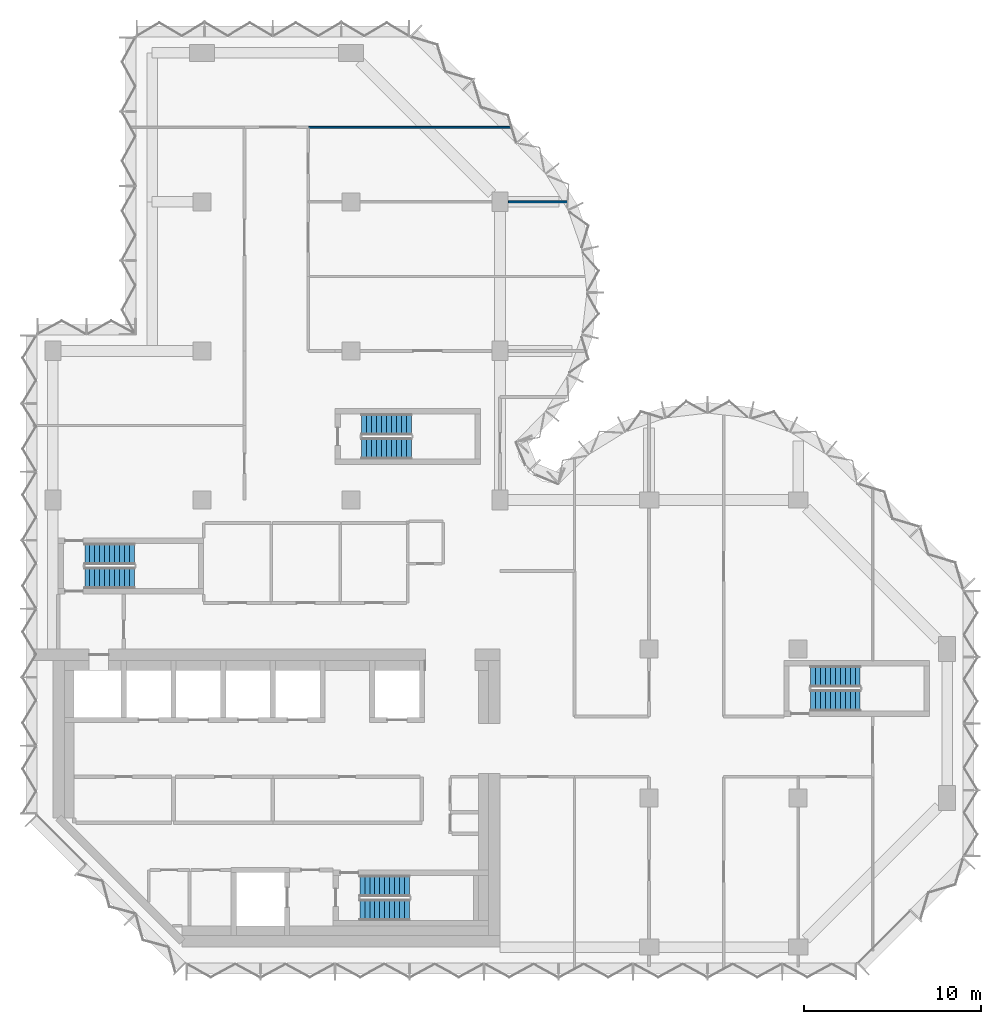
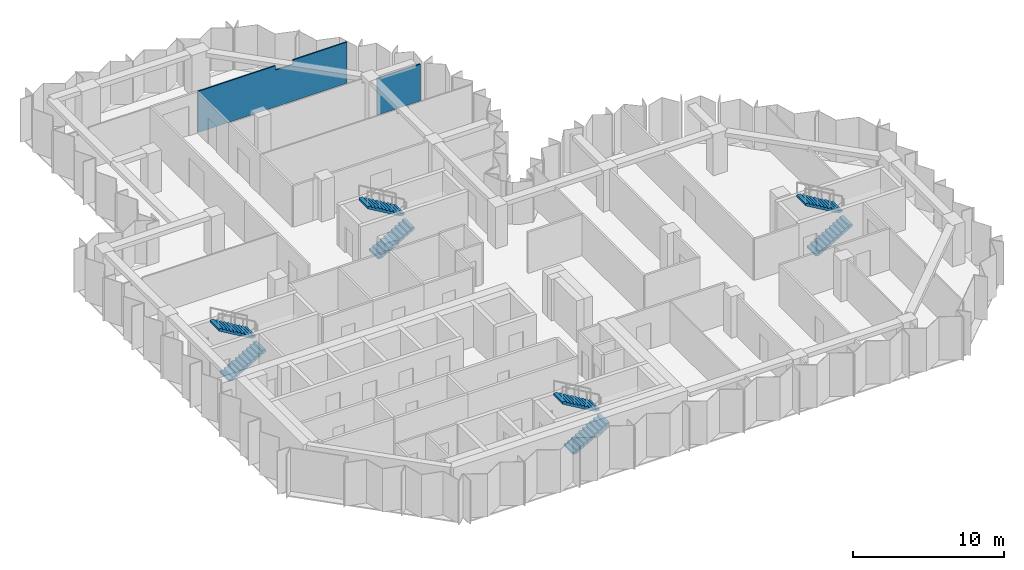
# One storey, part 8 of 10: 8 stair flights, 2 walls, 4 elements without a shape of their own.
"""IFC4 building model written with IfcOpenShell, lengths in metres."""

from ifc_helpers import new_model, si_unit, direction, frame, frame_2d, origin, place, context, subcontext, project, spatial, polyline, rectangle, outline, extrude, material, layer, layer_set, type_object, element, aggregate, save


model = new_model("IFC4")

# Units and contexts
model_context = context("Model", 3, precision=1e-05, world=origin(), true_north=direction((0.0, 1.0)))
body_context = subcontext(model_context, "Body", "Model", "MODEL_VIEW")
ifc_project = project(units=[si_unit("LENGTHUNIT", "METRE"), si_unit("AREAUNIT", "SQUARE_METRE"), si_unit("VOLUMEUNIT", "CUBIC_METRE"), si_unit("PLANEANGLEUNIT", "RADIAN"), si_unit("MASSUNIT", "GRAM", prefix="KILO")], contexts=[model_context])

# Site, building, storey
site_placement = place(None, origin())
site = spatial("IfcSite", under=ifc_project, at=site_placement, CompositionType="ELEMENT")
building_placement = place(site_placement, origin())
building = spatial("IfcBuilding", under=site, at=building_placement, Name="Brevane Broadcast Tower", CompositionType="ELEMENT")
storey_placement = place(building_placement, frame((0.0, 0.0, 195.60009765625)))
storey = spatial("IfcBuildingStorey", under=building, at=storey_placement, Name="L49", CompositionType="ELEMENT", Elevation=195.60009765625)

# Walls
ifc_material_1 = material(Name="Gypsum board partition")
ifc_layer = layer(ifc_material_1, 0.10009765625)
ifc_layer_set = layer_set([ifc_layer], Name="PARTITION 100 STUD")
wall_type = type_object("IfcWallType", Name="PARTITION 100 STUD", PredefinedType="PARTITIONING", material=ifc_layer_set)
wall_1_placement = place(storey_placement, frame((25.805419921875, 46.199951171875, 0.0), z_axis=(0.0, 0.0, 1.0), x_axis=(-1.0, 0.0, 0.0)))
element("IfcWall", 1, at=wall_1_placement, inside=storey, type_object=wall_type, Name="Partition G15-039", PredefinedType="PARTITIONING", context=body_context, shape_type="SweptSolid", body=[
    extrude(outline(polyline([(0.0, 0.0), (11.405517578125, 0.0), (11.405517578125, 3.329833984375), (5.47119140625, 3.329833984375), (5.468994140625, 2.97998046875), (4.1416015625, 2.97998046875), (4.1396484375, 3.329833984375), (0.405517578125, 3.329833984375), (0.0, 3.329833984375), (0.0, 0.0)])), frame((0.0, 0.050048828125, 0.0), z_axis=(0.0, -1.0, 0.0), x_axis=(1.0, 0.0, 0.0)), (0.0, 0.0, 1.0), 0.10009765625),
])
wall_2_placement = place(storey_placement, frame((25.669921875, 42.0, 0.0), z_axis=(0.0, 0.0, 1.0), x_axis=(1.0, 0.0, 0.0)))
element("IfcWall", 2, at=wall_2_placement, inside=storey, type_object=wall_type, Name="Partition G15-044", PredefinedType="PARTITIONING", context=body_context, shape_type="SweptSolid", body=[
    extrude(rectangle(XDim=3.341552734375, YDim=0.10009765625, at=frame_2d((1.6708984375, 0.0))), origin(), (0.0, 0.0, 1.0), 2.97998046875),
])

# Stair, stair flights
ifc_material_2 = material(Name="Concrete C50/60", Category="concrete")
stair_type = type_object("IfcStairType", Name="Exit stair 22 risers", PredefinedType="HALF_TURN_STAIR", material=ifc_material_2)
stair_1_placement = place(storey_placement, origin())
stair_1 = element("IfcStair", 3, at=stair_1_placement, inside=storey, type_object=stair_type, Name="L49 Exit stair ST-1", PredefinedType="HALF_TURN_STAIR")
stair_flight_type = type_object("IfcStairFlightType", Name="Exit stair flight 22 risers", PredefinedType="STRAIGHT", material=ifc_material_2)
stair_flight_1_placement = place(storey_placement, frame((1.800048828125, 20.800048828125, 0.0), z_axis=(0.0, 0.0, 1.0), x_axis=(1.0, 0.0, 0.0)))
stair_flight_1 = element("IfcStairFlight", 4, at=stair_flight_1_placement, type_object=stair_flight_type, Name="ST-1 flight 1", NumberOfRisers=11, NumberOfTreads=10, PredefinedType="STRAIGHT", RiserHeight=0.163636364, TreadLength=0.28, context=body_context, shape_type="SweptSolid", body=[
    extrude(outline(polyline([(0.0, 0.0), (0.0, 0.16357421875), (0.280029296875, 0.16357421875), (0.280029296875, 0.327392578125), (0.56005859375, 0.327392578125), (0.56005859375, 0.490966796875), (0.840087890625, 0.490966796875), (0.840087890625, 0.654541015625), (1.1201171875, 0.654541015625), (1.1201171875, 0.818115234375), (1.39990234375, 0.818115234375), (1.39990234375, 0.98193359375), (1.679931640625, 0.98193359375), (1.679931640625, 1.1455078125), (1.9599609375, 1.1455078125), (1.9599609375, 1.30908203125), (2.239990234375, 1.30908203125), (2.239990234375, 1.47265625), (2.52001953125, 1.47265625), (2.52001953125, 1.636474609375), (2.800048828125, 1.636474609375), (2.800048828125, 1.800048828125), (2.800048828125, 1.462646484375), (0.297119140625, 0.0), (0.0, 0.0)])), frame((0.0, 0.60009765625, 0.0), z_axis=(0.0, -1.0, 0.0), x_axis=(1.0, 0.0, 0.0)), (0.0, 0.0, 1.0), 1.199951171875),
])
stair_flight_2_placement = place(storey_placement, frame((4.60009765625, 22.14990234375, 1.7998046875), z_axis=(0.0, 0.0, 1.0), x_axis=(-1.0, 0.0, 0.0)))
stair_flight_2 = element("IfcStairFlight", 5, at=stair_flight_2_placement, type_object=stair_flight_type, Name="ST-1 flight 2", NumberOfRisers=11, NumberOfTreads=10, PredefinedType="STRAIGHT", RiserHeight=0.163636364, TreadLength=0.28, context=body_context, shape_type="SweptSolid", body=[
    extrude(outline(polyline([(0.0, 0.0), (0.0, 0.16357421875), (0.280029296875, 0.16357421875), (0.280029296875, 0.327392578125), (0.56005859375, 0.327392578125), (0.56005859375, 0.490966796875), (0.840087890625, 0.490966796875), (0.840087890625, 0.654541015625), (1.1201171875, 0.654541015625), (1.1201171875, 0.818115234375), (1.39990234375, 0.818115234375), (1.39990234375, 0.98193359375), (1.679931640625, 0.98193359375), (1.679931640625, 1.1455078125), (1.9599609375, 1.1455078125), (1.9599609375, 1.30908203125), (2.239990234375, 1.30908203125), (2.239990234375, 1.47265625), (2.52001953125, 1.47265625), (2.52001953125, 1.636474609375), (2.800048828125, 1.636474609375), (2.800048828125, 1.800048828125), (2.800048828125, 1.462646484375), (0.297119140625, 0.0), (0.0, 0.0)])), frame((0.0, 0.60009765625, 0.0), z_axis=(0.0, -1.0, 0.0), x_axis=(1.0, 0.0, 0.0)), (0.0, 0.0, 1.0), 1.199951171875),
])
aggregate(stair_1, [stair_flight_1, stair_flight_2])

stair_2_placement = place(storey_placement, origin())
stair_2 = element("IfcStair", 6, at=stair_2_placement, inside=storey, type_object=stair_type, Name="L49 Exit stair ST-2", PredefinedType="HALF_TURN_STAIR")
stair_flight_3_placement = place(storey_placement, frame((17.300048828125, 2.10009765625, 0.0), z_axis=(0.0, 0.0, 1.0), x_axis=(1.0, 0.0, 0.0)))
stair_flight_3 = element("IfcStairFlight", 7, at=stair_flight_3_placement, type_object=stair_flight_type, Name="ST-2 flight 1", NumberOfRisers=11, NumberOfTreads=10, PredefinedType="STRAIGHT", RiserHeight=0.163636364, TreadLength=0.28, context=body_context, shape_type="SweptSolid", body=[
    extrude(outline(polyline([(0.0, 0.0), (0.0, 0.16357421875), (0.280029296875, 0.16357421875), (0.280029296875, 0.327392578125), (0.56005859375, 0.327392578125), (0.56005859375, 0.490966796875), (0.840087890625, 0.490966796875), (0.840087890625, 0.654541015625), (1.1201171875, 0.654541015625), (1.1201171875, 0.818115234375), (1.39990234375, 0.818115234375), (1.39990234375, 0.98193359375), (1.679931640625, 0.98193359375), (1.679931640625, 1.1455078125), (1.9599609375, 1.1455078125), (1.9599609375, 1.30908203125), (2.239990234375, 1.30908203125), (2.239990234375, 1.47265625), (2.52001953125, 1.47265625), (2.52001953125, 1.636474609375), (2.800048828125, 1.636474609375), (2.800048828125, 1.800048828125), (2.800048828125, 1.462646484375), (0.297119140625, 0.0), (0.0, 0.0)])), frame((0.0, 0.60009765625, 0.0), z_axis=(0.0, -1.0, 0.0), x_axis=(1.0, 0.0, 0.0)), (0.0, 0.0, 1.0), 1.199951171875),
])
stair_flight_4_placement = place(storey_placement, frame((20.10009765625, 3.449951171875, 1.7998046875), z_axis=(0.0, 0.0, 1.0), x_axis=(-1.0, 0.0, 0.0)))
stair_flight_4 = element("IfcStairFlight", 8, at=stair_flight_4_placement, type_object=stair_flight_type, Name="ST-2 flight 2", NumberOfRisers=11, NumberOfTreads=10, PredefinedType="STRAIGHT", RiserHeight=0.163636364, TreadLength=0.28, context=body_context, shape_type="SweptSolid", body=[
    extrude(outline(polyline([(0.0, 0.0), (0.0, 0.16357421875), (0.280029296875, 0.16357421875), (0.280029296875, 0.327392578125), (0.56005859375, 0.327392578125), (0.56005859375, 0.490966796875), (0.840087890625, 0.490966796875), (0.840087890625, 0.654541015625), (1.1201171875, 0.654541015625), (1.1201171875, 0.818115234375), (1.39990234375, 0.818115234375), (1.39990234375, 0.98193359375), (1.679931640625, 0.98193359375), (1.679931640625, 1.1455078125), (1.9599609375, 1.1455078125), (1.9599609375, 1.30908203125), (2.239990234375, 1.30908203125), (2.239990234375, 1.47265625), (2.52001953125, 1.47265625), (2.52001953125, 1.636474609375), (2.800048828125, 1.636474609375), (2.800048828125, 1.800048828125), (2.800048828125, 1.462646484375), (0.297119140625, 0.0), (0.0, 0.0)])), frame((0.0, 0.60009765625, 0.0), z_axis=(0.0, -1.0, 0.0), x_axis=(1.0, 0.0, 0.0)), (0.0, 0.0, 1.0), 1.199951171875),
])
aggregate(stair_2, [stair_flight_3, stair_flight_4])

stair_3_placement = place(storey_placement, origin())
stair_3 = element("IfcStair", 9, at=stair_3_placement, inside=storey, type_object=stair_type, Name="L49 Exit stair ST-3", PredefinedType="HALF_TURN_STAIR")
stair_flight_5_placement = place(storey_placement, frame((17.39990234375, 28.10009765625, 0.0), z_axis=(0.0, 0.0, 1.0), x_axis=(1.0, 0.0, 0.0)))
stair_flight_5 = element("IfcStairFlight", 10, at=stair_flight_5_placement, type_object=stair_flight_type, Name="ST-3 flight 1", NumberOfRisers=11, NumberOfTreads=10, PredefinedType="STRAIGHT", RiserHeight=0.163636364, TreadLength=0.28, context=body_context, shape_type="SweptSolid", body=[
    extrude(outline(polyline([(0.0, 0.0), (0.0, 0.16357421875), (0.280029296875, 0.16357421875), (0.280029296875, 0.327392578125), (0.56005859375, 0.327392578125), (0.56005859375, 0.490966796875), (0.840087890625, 0.490966796875), (0.840087890625, 0.654541015625), (1.1201171875, 0.654541015625), (1.1201171875, 0.818115234375), (1.39990234375, 0.818115234375), (1.39990234375, 0.98193359375), (1.679931640625, 0.98193359375), (1.679931640625, 1.1455078125), (1.9599609375, 1.1455078125), (1.9599609375, 1.30908203125), (2.239990234375, 1.30908203125), (2.239990234375, 1.47265625), (2.52001953125, 1.47265625), (2.52001953125, 1.636474609375), (2.800048828125, 1.636474609375), (2.800048828125, 1.800048828125), (2.800048828125, 1.462646484375), (0.297119140625, 0.0), (0.0, 0.0)])), frame((0.0, 0.60009765625, 0.0), z_axis=(0.0, -1.0, 0.0), x_axis=(1.0, 0.0, 0.0)), (0.0, 0.0, 1.0), 1.199951171875),
])
stair_flight_6_placement = place(storey_placement, frame((20.199951171875, 29.449951171875, 1.7998046875), z_axis=(0.0, 0.0, 1.0), x_axis=(-1.0, 0.0, 0.0)))
stair_flight_6 = element("IfcStairFlight", 11, at=stair_flight_6_placement, type_object=stair_flight_type, Name="ST-3 flight 2", NumberOfRisers=11, NumberOfTreads=10, PredefinedType="STRAIGHT", RiserHeight=0.163636364, TreadLength=0.28, context=body_context, shape_type="SweptSolid", body=[
    extrude(outline(polyline([(0.0, 0.0), (0.0, 0.16357421875), (0.280029296875, 0.16357421875), (0.280029296875, 0.327392578125), (0.56005859375, 0.327392578125), (0.56005859375, 0.490966796875), (0.840087890625, 0.490966796875), (0.840087890625, 0.654541015625), (1.1201171875, 0.654541015625), (1.1201171875, 0.818115234375), (1.39990234375, 0.818115234375), (1.39990234375, 0.98193359375), (1.679931640625, 0.98193359375), (1.679931640625, 1.1455078125), (1.9599609375, 1.1455078125), (1.9599609375, 1.30908203125), (2.239990234375, 1.30908203125), (2.239990234375, 1.47265625), (2.52001953125, 1.47265625), (2.52001953125, 1.636474609375), (2.800048828125, 1.636474609375), (2.800048828125, 1.800048828125), (2.800048828125, 1.462646484375), (0.297119140625, 0.0), (0.0, 0.0)])), frame((0.0, 0.60009765625, 0.0), z_axis=(0.0, -1.0, 0.0), x_axis=(1.0, 0.0, 0.0)), (0.0, 0.0, 1.0), 1.199951171875),
])
aggregate(stair_3, [stair_flight_5, stair_flight_6])

stair_4_placement = place(storey_placement, origin())
stair_4 = element("IfcStair", 12, at=stair_4_placement, inside=storey, type_object=stair_type, Name="L49 Exit stair ST-4", PredefinedType="HALF_TURN_STAIR")
stair_flight_7_placement = place(storey_placement, frame((42.699951171875, 13.89990234375, 0.0), z_axis=(0.0, 0.0, 1.0), x_axis=(1.0, 0.0, 0.0)))
stair_flight_7 = element("IfcStairFlight", 13, at=stair_flight_7_placement, type_object=stair_flight_type, Name="ST-4 flight 1", NumberOfRisers=11, NumberOfTreads=10, PredefinedType="STRAIGHT", RiserHeight=0.163636364, TreadLength=0.28, context=body_context, shape_type="SweptSolid", body=[
    extrude(outline(polyline([(0.0, 0.0), (0.0, 0.16357421875), (0.280029296875, 0.16357421875), (0.280029296875, 0.327392578125), (0.56005859375, 0.327392578125), (0.56005859375, 0.490966796875), (0.840087890625, 0.490966796875), (0.840087890625, 0.654541015625), (1.1201171875, 0.654541015625), (1.1201171875, 0.818115234375), (1.39990234375, 0.818115234375), (1.39990234375, 0.98193359375), (1.679931640625, 0.98193359375), (1.679931640625, 1.1455078125), (1.9599609375, 1.1455078125), (1.9599609375, 1.30908203125), (2.239990234375, 1.30908203125), (2.239990234375, 1.47265625), (2.52001953125, 1.47265625), (2.52001953125, 1.636474609375), (2.800048828125, 1.636474609375), (2.800048828125, 1.800048828125), (2.800048828125, 1.462646484375), (0.297119140625, 0.0), (0.0, 0.0)])), frame((0.0, 0.60009765625, 0.0), z_axis=(0.0, -1.0, 0.0), x_axis=(1.0, 0.0, 0.0)), (0.0, 0.0, 1.0), 1.199951171875),
])
stair_flight_8_placement = place(storey_placement, frame((45.5, 15.25, 1.7998046875), z_axis=(0.0, 0.0, 1.0), x_axis=(-1.0, 0.0, 0.0)))
stair_flight_8 = element("IfcStairFlight", 14, at=stair_flight_8_placement, type_object=stair_flight_type, Name="ST-4 flight 2", NumberOfRisers=11, NumberOfTreads=10, PredefinedType="STRAIGHT", RiserHeight=0.163636364, TreadLength=0.28, context=body_context, shape_type="SweptSolid", body=[
    extrude(outline(polyline([(0.0, 0.0), (0.0, 0.16357421875), (0.280029296875, 0.16357421875), (0.280029296875, 0.327392578125), (0.56005859375, 0.327392578125), (0.56005859375, 0.490966796875), (0.840087890625, 0.490966796875), (0.840087890625, 0.654541015625), (1.1201171875, 0.654541015625), (1.1201171875, 0.818115234375), (1.39990234375, 0.818115234375), (1.39990234375, 0.98193359375), (1.679931640625, 0.98193359375), (1.679931640625, 1.1455078125), (1.9599609375, 1.1455078125), (1.9599609375, 1.30908203125), (2.239990234375, 1.30908203125), (2.239990234375, 1.47265625), (2.52001953125, 1.47265625), (2.52001953125, 1.636474609375), (2.800048828125, 1.636474609375), (2.800048828125, 1.800048828125), (2.800048828125, 1.462646484375), (0.297119140625, 0.0), (0.0, 0.0)])), frame((0.0, 0.60009765625, 0.0), z_axis=(0.0, -1.0, 0.0), x_axis=(1.0, 0.0, 0.0)), (0.0, 0.0, 1.0), 1.199951171875),
])
aggregate(stair_4, [stair_flight_7, stair_flight_8])

save(model, "model.ifc")
